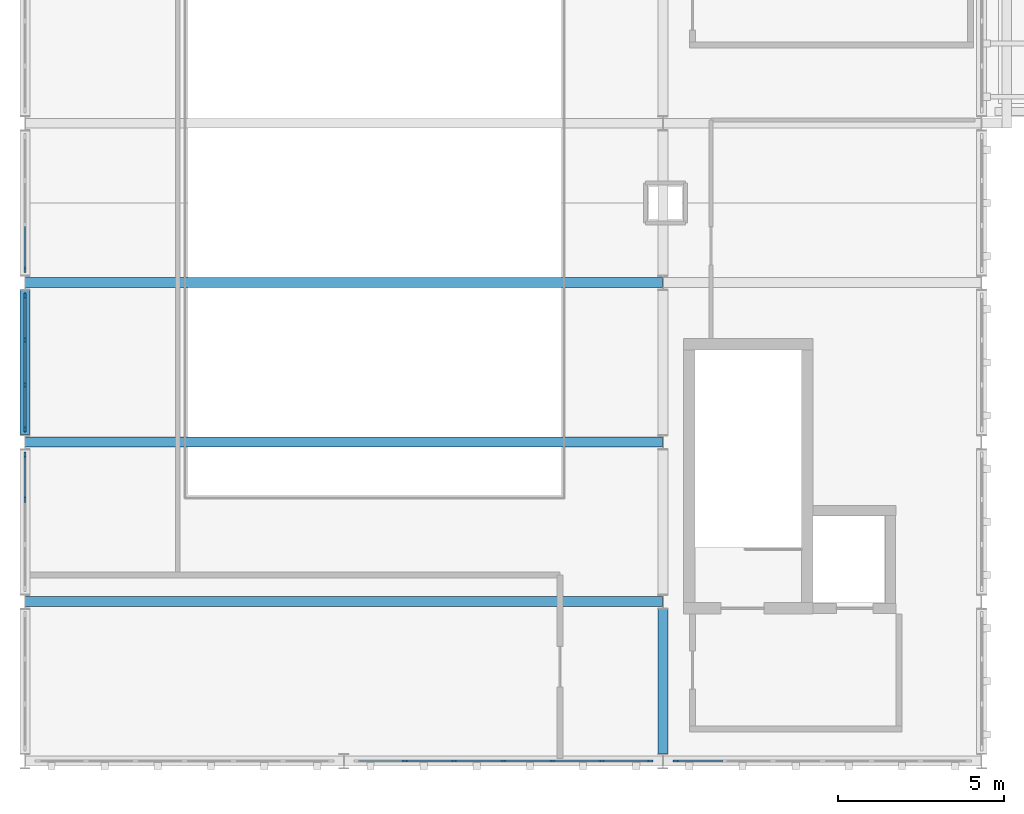
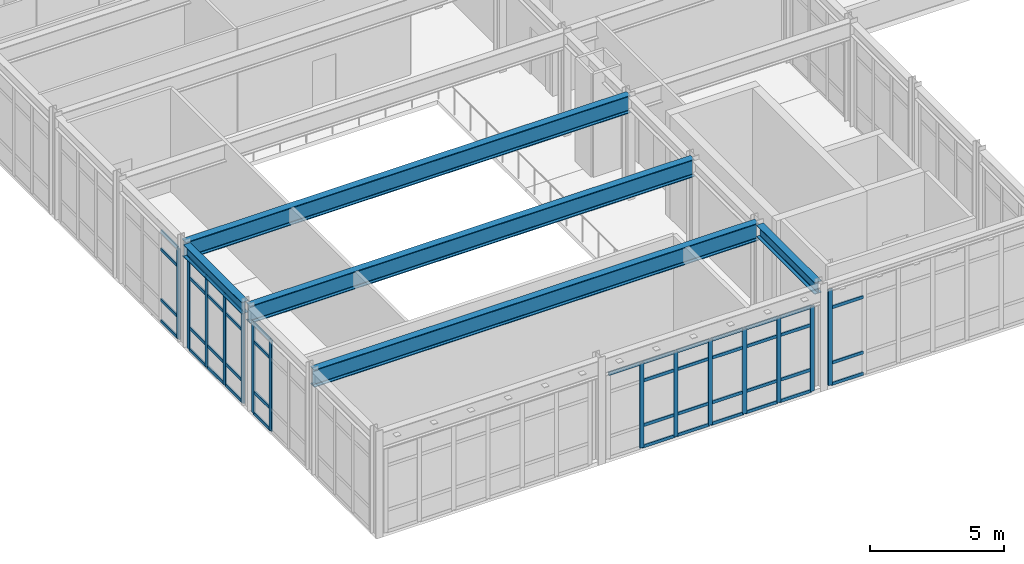
# One storey, part 3 of 16: 58 members, 5 beams, 5 elements without a shape of their own.
"""IFC4 building model written with IfcOpenShell, lengths in metres."""

import ifcopenshell
import ifcopenshell.guid

model = None  # the IFC model being written
_history = None  # IfcOwnerHistory: only IFC2X3 demands one
_inside = {}  # id of a spatial element -> (the spatial element, [elements in it])
_under = {}  # id of a project, library or spatial element -> (it, [spatial elements below it])
_declared = {}  # id of a project -> (the project, [libraries it declares])
_typed = {}  # id of a type object -> (the type object, [elements of that type])
_made_of = {}  # id of a material, layer set ... -> (it, [elements and type objects made of it])


def new_model(schema):
    """Start an empty IFC model of exactly this schema.

    Asked for "IFC4X3", IfcOpenShell would pick the latest addendum, in which some entities
    have other attributes; the version numbers below select the first issue.
    IFC2X3 requires an IfcOwnerHistory on every rooted entity: one is made here for all.
    """
    global model, _history
    if schema == "IFC4X3":
        model = ifcopenshell.file(schema_version=(4, 3, 0, 0))
    else:
        model = ifcopenshell.file(schema=schema)
    _inside.clear()
    _under.clear()
    _declared.clear()
    _typed.clear()
    _made_of.clear()
    _history = None
    if model.schema == "IFC2X3":
        org = make("IfcOrganization", Name="unknown")
        user = make(
            "IfcPersonAndOrganization",
            ThePerson=make("IfcPerson", FamilyName="unknown"),
            TheOrganization=org,
        )
        app = make(
            "IfcApplication",
            ApplicationDeveloper=org,
            Version="unknown",
            ApplicationFullName="unknown",
            ApplicationIdentifier="unknown",
        )
        _history = make(
            "IfcOwnerHistory",
            OwningUser=user,
            OwningApplication=app,
            ChangeAction="ADDED",
            CreationDate=0,
        )
    return model


def make(cls, **values):
    """One entity of the class cls with the attributes given. An attribute that is None is left unset."""
    return model.create_entity(
        cls, **{name: value for name, value in values.items() if value is not None}
    )


def rooted(cls, **values):
    """An entity with a GlobalId (a new one), such as an element, a storey or a relation."""
    return make(cls, GlobalId=ifcopenshell.guid.new(), OwnerHistory=_history, **values)


def si_unit(unit_type, name, prefix=None):
    """IfcSIUnit, for example si_unit("LENGTHUNIT", "METRE", prefix="MILLI")."""
    return make("IfcSIUnit", UnitType=unit_type, Prefix=prefix, Name=name)


def assignment(units):
    """IfcUnitAssignment: the units of a project."""
    return None if units is None else make("IfcUnitAssignment", Units=units)


def point(xyz):
    """IfcCartesianPoint."""
    return None if xyz is None else make("IfcCartesianPoint", Coordinates=xyz)


def direction(xyz):
    """IfcDirection."""
    return None if xyz is None else make("IfcDirection", DirectionRatios=xyz)


def frame(location, z_axis=None, x_axis=None):
    """IfcAxis2Placement3D, a coordinate frame: its origin and axes. An axis left out is left unset."""
    return make(
        "IfcAxis2Placement3D",
        Location=point(location),
        Axis=direction(z_axis),
        RefDirection=direction(x_axis),
    )


def frame_2d(location, x_axis=None):
    """IfcAxis2Placement2D, a coordinate frame in the plane: its origin and x axis."""
    return make(
        "IfcAxis2Placement2D", Location=point(location), RefDirection=direction(x_axis)
    )


def origin():
    """The frame at (0, 0, 0) with its axes left unset."""
    return frame((0.0, 0.0, 0.0))


def origin_2d():
    """The frame at (0, 0) in the plane with its x axis left unset."""
    return frame_2d((0.0, 0.0))


def place(relative_to, where):
    """IfcLocalPlacement: puts the frame where relative to a parent placement (None: the world)."""
    return make(
        "IfcLocalPlacement", PlacementRelTo=relative_to, RelativePlacement=where
    )


def context(
    kind, dimensions, precision=None, world=None, true_north=None, identifier=None
):
    """IfcGeometricRepresentationContext, for example the 3D "Model" context."""
    return make(
        "IfcGeometricRepresentationContext",
        ContextIdentifier=identifier,
        ContextType=kind,
        CoordinateSpaceDimension=dimensions,
        Precision=precision,
        WorldCoordinateSystem=world,
        TrueNorth=true_north,
    )


def subcontext(parent, identifier, kind, view, scale=None):
    """IfcGeometricRepresentationSubContext, for example "Body" below "Model"."""
    return make(
        "IfcGeometricRepresentationSubContext",
        ContextIdentifier=identifier,
        ContextType=kind,
        ParentContext=parent,
        TargetScale=scale,
        TargetView=view,
    )


def project(units=None, contexts=None):
    """IfcProject with its units and contexts."""
    return rooted(
        "IfcProject",
        Name="project",
        RepresentationContexts=contexts,
        UnitsInContext=assignment(units),
    )


def spatial(cls, under=None, at=None, **own):
    """A site, building, storey or space (cls), placed at a placement, below another one or the project."""
    s = rooted(cls, ObjectPlacement=at, **own)
    if under is not None:
        _under.setdefault(under.id(), (under, []))[1].append(s)
    return s


def profile(cls, at=None, kind="AREA", **sizes):
    """A parametric profile (cls). Its sizes go by their IFC names, for example OverallWidth=200.0."""
    return make(cls, ProfileType=kind, Position=at, **sizes)


def rectangle(**sizes):
    """IfcRectangleProfileDef."""
    return profile("IfcRectangleProfileDef", **sizes)


def i_section(**sizes):
    """IfcIShapeProfileDef."""
    return profile("IfcIShapeProfileDef", **sizes)


def extrude(swept, where, along, depth):
    """IfcExtrudedAreaSolid: the profile swept, set in the frame where, extruded along a direction by depth."""
    return make(
        "IfcExtrudedAreaSolid",
        SweptArea=swept,
        Position=where,
        ExtrudedDirection=direction(along),
        Depth=depth,
    )


def shape(context_of_items, identifier, shape_type, items):
    """IfcShapeRepresentation: the items that make up one representation, for example the "Body"."""
    return make(
        "IfcShapeRepresentation",
        ContextOfItems=context_of_items,
        RepresentationIdentifier=identifier,
        RepresentationType=shape_type,
        Items=items,
    )


def material(Name=None, Category=None):
    """IfcMaterial."""
    return make("IfcMaterial", Name=Name, Category=Category)


def layer(
    of_material, thickness, ventilated=None, Name=None, Category=None, Priority=None
):
    """IfcMaterialLayer: one layer of a wall or slab, of a material (None: an air gap)."""
    return make(
        "IfcMaterialLayer",
        Material=of_material,
        LayerThickness=thickness,
        IsVentilated=ventilated,
        Name=Name,
        Category=Category,
        Priority=Priority,
    )


def layer_set(layers, Name=None):
    """IfcMaterialLayerSet."""
    return make("IfcMaterialLayerSet", MaterialLayers=layers, LayerSetName=Name)


def material_profile(
    of_material, cross_section, Name=None, Category=None, Priority=None
):
    """IfcMaterialProfile: a cross section and its material."""
    return make(
        "IfcMaterialProfile",
        Name=Name,
        Material=of_material,
        Profile=cross_section,
        Priority=Priority,
        Category=Category,
    )


def profile_set(profiles, Name=None, composite=None):
    """IfcMaterialProfileSet."""
    return make(
        "IfcMaterialProfileSet",
        Name=Name,
        MaterialProfiles=profiles,
        CompositeProfile=composite,
    )


def made_of(thing, what):
    """Note that an element or type object is made of a material, layer set ...; save() writes the relation."""
    if what is not None:
        _made_of.setdefault(what.id(), (what, []))[1].append(thing)
    return thing


def type_object(cls, material=None, **own):
    """A type object (cls), such as IfcWallType, which elements share."""
    return made_of(rooted(cls, **own), material)


def element(
    cls,
    number,
    at=None,
    inside=None,
    cuts=None,
    type_object=None,
    material=None,
    context=None,
    identifier="Body",
    shape_type=None,
    held_by="IfcProductDefinitionShape",
    body=None,
    shapes=None,
    **own,
):
    """One element of the class cls, such as IfcWall. Its Tag is "e" and its number.

    at: its placement. inside: the storey or other place that contains it. cuts: it is an
    opening in that element (IfcRelVoidsElement). A single representation is given by context,
    identifier, shape_type and body (its items); several are given by shapes. held_by: the class
    of the entity that holds the representations. save() writes the other relations.
    """
    e = rooted(cls, Tag="e%d" % number, ObjectPlacement=at, **own)
    if body is not None:
        shapes = [shape(context, identifier, shape_type, body)]
    if shapes is not None:
        e.Representation = make(held_by, Representations=shapes)
    if inside is not None:
        _inside.setdefault(inside.id(), (inside, []))[1].append(e)
    if cuts is not None:
        rooted(
            "IfcRelVoidsElement", RelatingBuildingElement=cuts, RelatedOpeningElement=e
        )
    if type_object is not None:
        _typed.setdefault(type_object.id(), (type_object, []))[1].append(e)
    return made_of(e, material)


def aggregate(whole, parts):
    """IfcRelAggregates: a whole, such as a stair, and the parts it consists of."""
    return rooted("IfcRelAggregates", RelatingObject=whole, RelatedObjects=parts)


def save(model, path):
    """Write the relations noted so far, then the file.

    IfcRelAggregates (storeys below a building ...), IfcRelContainedInSpatialStructure (elements
    in a storey), IfcRelDefinesByType, IfcRelAssociatesMaterial and IfcRelDeclares: one each for
    every whole, place, type object, material and project.
    """
    for whole, parts in _under.values():
        aggregate(whole, parts)
    for where, things in _inside.values():
        rooted(
            "IfcRelContainedInSpatialStructure",
            RelatedElements=things,
            RelatingStructure=where,
        )
    for kind, things in _typed.values():
        rooted("IfcRelDefinesByType", RelatedObjects=things, RelatingType=kind)
    for what, things in _made_of.values():
        rooted("IfcRelAssociatesMaterial", RelatedObjects=things, RelatingMaterial=what)
    for by, libraries in _declared.values():
        rooted("IfcRelDeclares", RelatingContext=by, RelatedDefinitions=libraries)
    model.write(path)


model = new_model("IFC4")

# Units and contexts
model_context = context("Model", 3, precision=1e-05, world=origin(), true_north=direction((0.0, 1.0)))
body_context = subcontext(model_context, "Body", "Model", "MODEL_VIEW")
ifc_project = project(units=[si_unit("LENGTHUNIT", "METRE"), si_unit("AREAUNIT", "SQUARE_METRE"), si_unit("VOLUMEUNIT", "CUBIC_METRE"), si_unit("PLANEANGLEUNIT", "RADIAN"), si_unit("MASSUNIT", "GRAM", prefix="KILO")], contexts=[model_context])

# Site, building, storey
site_placement = place(None, origin())
site = spatial("IfcSite", under=ifc_project, at=site_placement, CompositionType="ELEMENT")
building_placement = place(site_placement, origin())
building = spatial("IfcBuilding", under=site, at=building_placement, Name="Nordkorset Police Headquarters", CompositionType="ELEMENT")
storey_placement = place(building_placement, frame((0.0, 0.0, 31.14990234375)))
storey = spatial("IfcBuildingStorey", under=building, at=storey_placement, Name="L07", CompositionType="ELEMENT", Elevation=31.14990234375)

# Curtain wall, members
ifc_material_1 = material(Name="Aluminium alloy AW-6060", Category="aluminium")
ifc_layer_1 = layer(ifc_material_1, 0.179931640625, Name="Aluminium alloy AW-6060")
ifc_layer_set_1 = layer_set([ifc_layer_1], Name="Aluminium alloy AW-6060")
curtain_wall_type_1 = type_object("IfcCurtainWallType", Name="CW_Unit_408x415", PredefinedType="USERDEFINED", material=ifc_layer_set_1)
curtain_wall_1_placement = place(storey_placement, origin())
curtain_wall_1 = element("IfcCurtainWall", 1, at=curtain_wall_1_placement, inside=storey, type_object=curtain_wall_type_1, Name="Unitised Curtain Wall L07 V1W-1", ObjectType="UNITISED CURTAIN WALL", PredefinedType="USERDEFINED")
ifc_material_2 = material(Name="Aluminium alloy AW-6060", Category="aluminium")
ifc_material_profile_1 = material_profile(ifc_material_2, rectangle(XDim=0.06494140625, YDim=0.179931640625, at=origin_2d()), Name="ALU MULL 65x180")
ifc_profile_set_1 = profile_set([ifc_material_profile_1], Name="Aluminium alloy AW-6060")
member_type_1 = type_object("IfcMemberType", Name="CW_Mullion_65x180", PredefinedType="MULLION", material=ifc_profile_set_1)
member_1_placement = place(storey_placement, frame((0.0, 91.080078125, 0.0), z_axis=(0.0, 0.0, 1.0), x_axis=(-1.0, 0.0, 0.0)))
member_1 = element("IfcMember", 2, at=member_1_placement, type_object=member_type_1, Name="CW-101 mullion 3", PredefinedType="MULLION", context=body_context, shape_type="SweptSolid", body=[
    extrude(rectangle(XDim=0.06494140625, YDim=0.179931640625, at=origin_2d()), origin(), (0.0, 0.0, 1.0), 4.150146484375),
])
member_2_placement = place(storey_placement, frame((0.0, 92.407470703125, 0.0), z_axis=(0.0, 0.0, 1.0), x_axis=(-1.0, 0.0, 0.0)))
member_2 = element("IfcMember", 3, at=member_2_placement, type_object=member_type_1, Name="CW-101 mullion 4", PredefinedType="MULLION", context=body_context, shape_type="SweptSolid", body=[
    extrude(rectangle(XDim=0.06494140625, YDim=0.179931640625, at=origin_2d()), origin(), (0.0, 0.0, 1.0), 4.150146484375),
])

curtain_wall_2_placement = place(storey_placement, origin())
curtain_wall_2 = element("IfcCurtainWall", 4, at=curtain_wall_2_placement, inside=storey, type_object=curtain_wall_type_1, Name="Unitised Curtain Wall L07 V1W-2", ObjectType="UNITISED CURTAIN WALL", PredefinedType="USERDEFINED")
member_3_placement = place(storey_placement, frame((0.0, 93.1923828125, 0.0), z_axis=(0.0, 0.0, 1.0), x_axis=(-1.0, 0.0, 0.0)))
member_3 = element("IfcMember", 5, at=member_3_placement, type_object=member_type_1, Name="CW-101 mullion 1", PredefinedType="MULLION", context=body_context, shape_type="SweptSolid", body=[
    extrude(rectangle(XDim=0.06494140625, YDim=0.179931640625, at=origin_2d()), origin(), (0.0, 0.0, 1.0), 4.150146484375),
])
member_4_placement = place(storey_placement, frame((0.0, 94.52001953125, 0.0), z_axis=(0.0, 0.0, 1.0), x_axis=(-1.0, 0.0, 0.0)))
member_4 = element("IfcMember", 6, at=member_4_placement, type_object=member_type_1, Name="CW-101 mullion 2", PredefinedType="MULLION", context=body_context, shape_type="SweptSolid", body=[
    extrude(rectangle(XDim=0.06494140625, YDim=0.179931640625, at=origin_2d()), origin(), (0.0, 0.0, 1.0), 4.150146484375),
])
member_5_placement = place(storey_placement, frame((0.0, 95.8798828125, 0.0), z_axis=(0.0, 0.0, 1.0), x_axis=(-1.0, 0.0, 0.0)))
member_5 = element("IfcMember", 7, at=member_5_placement, type_object=member_type_1, Name="CW-101 mullion 3", PredefinedType="MULLION", context=body_context, shape_type="SweptSolid", body=[
    extrude(rectangle(XDim=0.06494140625, YDim=0.179931640625, at=origin_2d()), origin(), (0.0, 0.0, 1.0), 4.150146484375),
])
member_6_placement = place(storey_placement, frame((0.0, 97.20751953125, 0.0), z_axis=(0.0, 0.0, 1.0), x_axis=(-1.0, 0.0, 0.0)))
member_6 = element("IfcMember", 8, at=member_6_placement, type_object=member_type_1, Name="CW-101 mullion 4", PredefinedType="MULLION", context=body_context, shape_type="SweptSolid", body=[
    extrude(rectangle(XDim=0.06494140625, YDim=0.179931640625, at=origin_2d()), origin(), (0.0, 0.0, 1.0), 4.150146484375),
])

# Curtain wall, member
curtain_wall_3_placement = place(storey_placement, origin())
curtain_wall_3 = element("IfcCurtainWall", 9, at=curtain_wall_3_placement, inside=storey, type_object=curtain_wall_type_1, Name="Unitised Curtain Wall L07 V1W-3", ObjectType="UNITISED CURTAIN WALL", PredefinedType="USERDEFINED")
member_7_placement = place(storey_placement, frame((0.0, 97.992431640625, 0.0), z_axis=(0.0, 0.0, 1.0), x_axis=(-1.0, 0.0, 0.0)))
member_7 = element("IfcMember", 10, at=member_7_placement, type_object=member_type_1, Name="CW-101 mullion 1", PredefinedType="MULLION", context=body_context, shape_type="SweptSolid", body=[
    extrude(rectangle(XDim=0.06494140625, YDim=0.179931640625, at=origin_2d()), origin(), (0.0, 0.0, 1.0), 4.150146484375),
])

# Curtain wall, members
ifc_material_3 = material(Name="Aluminium alloy AW-6060", Category="aluminium")
ifc_layer_2 = layer(ifc_material_3, 0.179931640625, Name="Aluminium alloy AW-6060")
ifc_layer_set_2 = layer_set([ifc_layer_2], Name="Aluminium alloy AW-6060")
curtain_wall_type_2 = type_object("IfcCurtainWallType", Name="CW_Unit_888x389", PredefinedType="USERDEFINED", material=ifc_layer_set_2)
curtain_wall_4_placement = place(storey_placement, origin())
curtain_wall_4 = element("IfcCurtainWall", 11, at=curtain_wall_4_placement, inside=storey, type_object=curtain_wall_type_2, Name="Unitised Curtain Wall L07 V1S-1", ObjectType="UNITISED CURTAIN WALL", PredefinedType="USERDEFINED")
member_8_placement = place(storey_placement, frame((11.43994140625, 83.199951171875, 0.0), z_axis=(0.0, 0.0, 1.0), x_axis=(0.0, 1.0, 0.0)))
member_8 = element("IfcMember", 12, at=member_8_placement, type_object=member_type_1, Name="CW-76 mullion 2", PredefinedType="MULLION", context=body_context, shape_type="SweptSolid", body=[
    extrude(rectangle(XDim=0.06494140625, YDim=0.179931640625, at=origin_2d()), origin(), (0.0, 0.0, 1.0), 3.89013671875),
])
member_9_placement = place(storey_placement, frame((12.919921875, 83.199951171875, 0.0), z_axis=(0.0, 0.0, 1.0), x_axis=(0.0, 1.0, 0.0)))
member_9 = element("IfcMember", 13, at=member_9_placement, type_object=member_type_1, Name="CW-76 mullion 3", PredefinedType="MULLION", context=body_context, shape_type="SweptSolid", body=[
    extrude(rectangle(XDim=0.06494140625, YDim=0.179931640625, at=origin_2d()), origin(), (0.0, 0.0, 1.0), 3.89013671875),
])
member_10_placement = place(storey_placement, frame((14.39990234375, 83.199951171875, 0.0), z_axis=(0.0, 0.0, 1.0), x_axis=(0.0, 1.0, 0.0)))
member_10 = element("IfcMember", 14, at=member_10_placement, type_object=member_type_1, Name="CW-76 mullion 4", PredefinedType="MULLION", context=body_context, shape_type="SweptSolid", body=[
    extrude(rectangle(XDim=0.06494140625, YDim=0.179931640625, at=origin_2d()), origin(), (0.0, 0.0, 1.0), 3.89013671875),
])
member_11_placement = place(storey_placement, frame((15.8798828125, 83.199951171875, 0.0), z_axis=(0.0, 0.0, 1.0), x_axis=(0.0, 1.0, 0.0)))
member_11 = element("IfcMember", 15, at=member_11_placement, type_object=member_type_1, Name="CW-76 mullion 5", PredefinedType="MULLION", context=body_context, shape_type="SweptSolid", body=[
    extrude(rectangle(XDim=0.06494140625, YDim=0.179931640625, at=origin_2d()), origin(), (0.0, 0.0, 1.0), 3.89013671875),
])
member_12_placement = place(storey_placement, frame((17.360107421875, 83.199951171875, 0.0), z_axis=(0.0, 0.0, 1.0), x_axis=(0.0, 1.0, 0.0)))
member_12 = element("IfcMember", 16, at=member_12_placement, type_object=member_type_1, Name="CW-76 mullion 6", PredefinedType="MULLION", context=body_context, shape_type="SweptSolid", body=[
    extrude(rectangle(XDim=0.06494140625, YDim=0.179931640625, at=origin_2d()), origin(), (0.0, 0.0, 1.0), 3.89013671875),
])
member_13_placement = place(storey_placement, frame((18.8076171875, 83.199951171875, 0.0), z_axis=(0.0, 0.0, 1.0), x_axis=(0.0, 1.0, 0.0)))
member_13 = element("IfcMember", 17, at=member_13_placement, type_object=member_type_1, Name="CW-76 mullion 7", PredefinedType="MULLION", context=body_context, shape_type="SweptSolid", body=[
    extrude(rectangle(XDim=0.06494140625, YDim=0.179931640625, at=origin_2d()), origin(), (0.0, 0.0, 1.0), 3.89013671875),
])

# Curtain wall, member
ifc_material_4 = material(Name="Aluminium alloy AW-6060", Category="aluminium")
ifc_layer_3 = layer(ifc_material_4, 0.179931640625, Name="Aluminium alloy AW-6060")
ifc_layer_set_3 = layer_set([ifc_layer_3], Name="Aluminium alloy AW-6060")
curtain_wall_type_3 = type_object("IfcCurtainWallType", Name="CW_Unit_888x438", PredefinedType="USERDEFINED", material=ifc_layer_set_3)
curtain_wall_5_placement = place(storey_placement, origin())
curtain_wall_5 = element("IfcCurtainWall", 18, at=curtain_wall_5_placement, inside=storey, type_object=curtain_wall_type_3, Name="Unitised Curtain Wall L07 V1S-2", ObjectType="UNITISED CURTAIN WALL", PredefinedType="USERDEFINED")
member_14_placement = place(storey_placement, frame((19.592529296875, 83.199951171875, 0.0), z_axis=(0.0, 0.0, 1.0), x_axis=(0.0, 1.0, 0.0)))
member_14 = element("IfcMember", 19, at=member_14_placement, type_object=member_type_1, Name="CW-102 mullion 1", PredefinedType="MULLION", context=body_context, shape_type="SweptSolid", body=[
    extrude(rectangle(XDim=0.06494140625, YDim=0.179931640625, at=origin_2d()), origin(), (0.0, 0.0, 1.0), 4.380126953125),
])

# Member
ifc_material_5 = material(Name="Aluminium alloy AW-6060", Category="aluminium")
ifc_material_profile_2 = material_profile(ifc_material_5, rectangle(XDim=0.06494140625, YDim=0.139892578125, at=origin_2d()), Name="ALU TRAN 65x140")
ifc_profile_set_2 = profile_set([ifc_material_profile_2], Name="Aluminium alloy AW-6060")
member_type_2 = type_object("IfcMemberType", Name="CW_Transom_65x140", PredefinedType="USERDEFINED", material=ifc_profile_set_2)
member_15_placement = place(storey_placement, frame((0.0, 91.112548828125, 0.03271484375), z_axis=(0.0, 1.0, 0.0), x_axis=(-1.0, 0.0, 0.0)))
member_15 = element("IfcMember", 20, at=member_15_placement, type_object=member_type_2, Name="CW-101 transom 3.1", ObjectType="TRANSOM", PredefinedType="USERDEFINED", context=body_context, shape_type="SweptSolid", body=[
    extrude(rectangle(XDim=0.06494140625, YDim=0.139892578125, at=origin_2d()), origin(), (0.0, 0.0, 1.0), 1.262451171875),
])

member_16_placement = place(storey_placement, frame((0.0, 91.112548828125, 1.0), z_axis=(0.0, 1.0, 0.0), x_axis=(-1.0, 0.0, 0.0)))
member_16 = element("IfcMember", 21, at=member_16_placement, type_object=member_type_2, Name="CW-101 transom 3.2", ObjectType="TRANSOM", PredefinedType="USERDEFINED", context=body_context, shape_type="SweptSolid", body=[
    extrude(rectangle(XDim=0.06494140625, YDim=0.139892578125, at=origin_2d()), origin(), (0.0, 0.0, 1.0), 1.262451171875),
])

member_17_placement = place(storey_placement, frame((0.0, 91.112548828125, 3.300048828125), z_axis=(0.0, 1.0, 0.0), x_axis=(-1.0, 0.0, 0.0)))
member_17 = element("IfcMember", 22, at=member_17_placement, type_object=member_type_2, Name="CW-101 transom 3.3", ObjectType="TRANSOM", PredefinedType="USERDEFINED", context=body_context, shape_type="SweptSolid", body=[
    extrude(rectangle(XDim=0.06494140625, YDim=0.139892578125, at=origin_2d()), origin(), (0.0, 0.0, 1.0), 1.262451171875),
])

member_18_placement = place(storey_placement, frame((0.0, 91.112548828125, 4.11767578125), z_axis=(0.0, 1.0, 0.0), x_axis=(-1.0, 0.0, 0.0)))
member_18 = element("IfcMember", 23, at=member_18_placement, type_object=member_type_2, Name="CW-101 transom 3.4", ObjectType="TRANSOM", PredefinedType="USERDEFINED", context=body_context, shape_type="SweptSolid", body=[
    extrude(rectangle(XDim=0.06494140625, YDim=0.139892578125, at=origin_2d()), origin(), (0.0, 0.0, 1.0), 1.262451171875),
])

aggregate(curtain_wall_1, [member_1, member_2, member_15, member_16, member_17, member_18])

member_19_placement = place(storey_placement, frame((0.0, 93.22509765625, 0.03271484375), z_axis=(0.0, 1.0, 0.0), x_axis=(-1.0, 0.0, 0.0)))
member_19 = element("IfcMember", 24, at=member_19_placement, type_object=member_type_2, Name="CW-101 transom 1.1", ObjectType="TRANSOM", PredefinedType="USERDEFINED", context=body_context, shape_type="SweptSolid", body=[
    extrude(rectangle(XDim=0.06494140625, YDim=0.139892578125, at=origin_2d()), origin(), (0.0, 0.0, 1.0), 1.262451171875),
])

member_20_placement = place(storey_placement, frame((0.0, 93.22509765625, 1.0), z_axis=(0.0, 1.0, 0.0), x_axis=(-1.0, 0.0, 0.0)))
member_20 = element("IfcMember", 25, at=member_20_placement, type_object=member_type_2, Name="CW-101 transom 1.2", ObjectType="TRANSOM", PredefinedType="USERDEFINED", context=body_context, shape_type="SweptSolid", body=[
    extrude(rectangle(XDim=0.06494140625, YDim=0.139892578125, at=origin_2d()), origin(), (0.0, 0.0, 1.0), 1.262451171875),
])

member_21_placement = place(storey_placement, frame((0.0, 93.22509765625, 3.300048828125), z_axis=(0.0, 1.0, 0.0), x_axis=(-1.0, 0.0, 0.0)))
member_21 = element("IfcMember", 26, at=member_21_placement, type_object=member_type_2, Name="CW-101 transom 1.3", ObjectType="TRANSOM", PredefinedType="USERDEFINED", context=body_context, shape_type="SweptSolid", body=[
    extrude(rectangle(XDim=0.06494140625, YDim=0.139892578125, at=origin_2d()), origin(), (0.0, 0.0, 1.0), 1.262451171875),
])

member_22_placement = place(storey_placement, frame((0.0, 93.22509765625, 4.11767578125), z_axis=(0.0, 1.0, 0.0), x_axis=(-1.0, 0.0, 0.0)))
member_22 = element("IfcMember", 27, at=member_22_placement, type_object=member_type_2, Name="CW-101 transom 1.4", ObjectType="TRANSOM", PredefinedType="USERDEFINED", context=body_context, shape_type="SweptSolid", body=[
    extrude(rectangle(XDim=0.06494140625, YDim=0.139892578125, at=origin_2d()), origin(), (0.0, 0.0, 1.0), 1.262451171875),
])

member_23_placement = place(storey_placement, frame((0.0, 94.552490234375, 0.03271484375), z_axis=(0.0, 1.0, 0.0), x_axis=(-1.0, 0.0, 0.0)))
member_23 = element("IfcMember", 28, at=member_23_placement, type_object=member_type_2, Name="CW-101 transom 2.1", ObjectType="TRANSOM", PredefinedType="USERDEFINED", context=body_context, shape_type="SweptSolid", body=[
    extrude(rectangle(XDim=0.06494140625, YDim=0.139892578125, at=origin_2d()), origin(), (0.0, 0.0, 1.0), 1.294921875),
])

member_24_placement = place(storey_placement, frame((0.0, 94.552490234375, 1.0), z_axis=(0.0, 1.0, 0.0), x_axis=(-1.0, 0.0, 0.0)))
member_24 = element("IfcMember", 29, at=member_24_placement, type_object=member_type_2, Name="CW-101 transom 2.2", ObjectType="TRANSOM", PredefinedType="USERDEFINED", context=body_context, shape_type="SweptSolid", body=[
    extrude(rectangle(XDim=0.06494140625, YDim=0.139892578125, at=origin_2d()), origin(), (0.0, 0.0, 1.0), 1.294921875),
])

member_25_placement = place(storey_placement, frame((0.0, 94.552490234375, 3.300048828125), z_axis=(0.0, 1.0, 0.0), x_axis=(-1.0, 0.0, 0.0)))
member_25 = element("IfcMember", 30, at=member_25_placement, type_object=member_type_2, Name="CW-101 transom 2.3", ObjectType="TRANSOM", PredefinedType="USERDEFINED", context=body_context, shape_type="SweptSolid", body=[
    extrude(rectangle(XDim=0.06494140625, YDim=0.139892578125, at=origin_2d()), origin(), (0.0, 0.0, 1.0), 1.294921875),
])

member_26_placement = place(storey_placement, frame((0.0, 94.552490234375, 4.11767578125), z_axis=(0.0, 1.0, 0.0), x_axis=(-1.0, 0.0, 0.0)))
member_26 = element("IfcMember", 31, at=member_26_placement, type_object=member_type_2, Name="CW-101 transom 2.4", ObjectType="TRANSOM", PredefinedType="USERDEFINED", context=body_context, shape_type="SweptSolid", body=[
    extrude(rectangle(XDim=0.06494140625, YDim=0.139892578125, at=origin_2d()), origin(), (0.0, 0.0, 1.0), 1.294921875),
])

member_27_placement = place(storey_placement, frame((0.0, 95.91259765625, 0.03271484375), z_axis=(0.0, 1.0, 0.0), x_axis=(-1.0, 0.0, 0.0)))
member_27 = element("IfcMember", 32, at=member_27_placement, type_object=member_type_2, Name="CW-101 transom 3.1", ObjectType="TRANSOM", PredefinedType="USERDEFINED", context=body_context, shape_type="SweptSolid", body=[
    extrude(rectangle(XDim=0.06494140625, YDim=0.139892578125, at=origin_2d()), origin(), (0.0, 0.0, 1.0), 1.262451171875),
])

member_28_placement = place(storey_placement, frame((0.0, 95.91259765625, 1.0), z_axis=(0.0, 1.0, 0.0), x_axis=(-1.0, 0.0, 0.0)))
member_28 = element("IfcMember", 33, at=member_28_placement, type_object=member_type_2, Name="CW-101 transom 3.2", ObjectType="TRANSOM", PredefinedType="USERDEFINED", context=body_context, shape_type="SweptSolid", body=[
    extrude(rectangle(XDim=0.06494140625, YDim=0.139892578125, at=origin_2d()), origin(), (0.0, 0.0, 1.0), 1.262451171875),
])

member_29_placement = place(storey_placement, frame((0.0, 95.91259765625, 3.300048828125), z_axis=(0.0, 1.0, 0.0), x_axis=(-1.0, 0.0, 0.0)))
member_29 = element("IfcMember", 34, at=member_29_placement, type_object=member_type_2, Name="CW-101 transom 3.3", ObjectType="TRANSOM", PredefinedType="USERDEFINED", context=body_context, shape_type="SweptSolid", body=[
    extrude(rectangle(XDim=0.06494140625, YDim=0.139892578125, at=origin_2d()), origin(), (0.0, 0.0, 1.0), 1.262451171875),
])

member_30_placement = place(storey_placement, frame((0.0, 95.91259765625, 4.11767578125), z_axis=(0.0, 1.0, 0.0), x_axis=(-1.0, 0.0, 0.0)))
member_30 = element("IfcMember", 35, at=member_30_placement, type_object=member_type_2, Name="CW-101 transom 3.4", ObjectType="TRANSOM", PredefinedType="USERDEFINED", context=body_context, shape_type="SweptSolid", body=[
    extrude(rectangle(XDim=0.06494140625, YDim=0.139892578125, at=origin_2d()), origin(), (0.0, 0.0, 1.0), 1.262451171875),
])

aggregate(curtain_wall_2, [member_3, member_4, member_5, member_6, member_19, member_20, member_21, member_22, member_23, member_24, member_25, member_26, member_27, member_28, member_29, member_30])

member_31_placement = place(storey_placement, frame((0.0, 98.02490234375, 0.03271484375), z_axis=(0.0, 1.0, 0.0), x_axis=(-1.0, 0.0, 0.0)))
member_31 = element("IfcMember", 36, at=member_31_placement, type_object=member_type_2, Name="CW-101 transom 1.1", ObjectType="TRANSOM", PredefinedType="USERDEFINED", context=body_context, shape_type="SweptSolid", body=[
    extrude(rectangle(XDim=0.06494140625, YDim=0.139892578125, at=origin_2d()), origin(), (0.0, 0.0, 1.0), 1.2626953125),
])

member_32_placement = place(storey_placement, frame((0.0, 98.02490234375, 1.0), z_axis=(0.0, 1.0, 0.0), x_axis=(-1.0, 0.0, 0.0)))
member_32 = element("IfcMember", 37, at=member_32_placement, type_object=member_type_2, Name="CW-101 transom 1.2", ObjectType="TRANSOM", PredefinedType="USERDEFINED", context=body_context, shape_type="SweptSolid", body=[
    extrude(rectangle(XDim=0.06494140625, YDim=0.139892578125, at=origin_2d()), origin(), (0.0, 0.0, 1.0), 1.2626953125),
])

member_33_placement = place(storey_placement, frame((0.0, 98.02490234375, 3.300048828125), z_axis=(0.0, 1.0, 0.0), x_axis=(-1.0, 0.0, 0.0)))
member_33 = element("IfcMember", 38, at=member_33_placement, type_object=member_type_2, Name="CW-101 transom 1.3", ObjectType="TRANSOM", PredefinedType="USERDEFINED", context=body_context, shape_type="SweptSolid", body=[
    extrude(rectangle(XDim=0.06494140625, YDim=0.139892578125, at=origin_2d()), origin(), (0.0, 0.0, 1.0), 1.2626953125),
])

member_34_placement = place(storey_placement, frame((0.0, 98.02490234375, 4.11767578125), z_axis=(0.0, 1.0, 0.0), x_axis=(-1.0, 0.0, 0.0)))
member_34 = element("IfcMember", 39, at=member_34_placement, type_object=member_type_2, Name="CW-101 transom 1.4", ObjectType="TRANSOM", PredefinedType="USERDEFINED", context=body_context, shape_type="SweptSolid", body=[
    extrude(rectangle(XDim=0.06494140625, YDim=0.139892578125, at=origin_2d()), origin(), (0.0, 0.0, 1.0), 1.2626953125),
])

aggregate(curtain_wall_3, [member_7, member_31, member_32, member_33, member_34])

member_35_placement = place(storey_placement, frame((10.02490234375, 83.199951171875, 3.857666015625), z_axis=(1.0, 0.0, 0.0), x_axis=(0.0, 1.0, 0.0)))
member_35 = element("IfcMember", 40, at=member_35_placement, type_object=member_type_2, Name="CW-76 transom 1.4", ObjectType="TRANSOM", PredefinedType="USERDEFINED", context=body_context, shape_type="SweptSolid", body=[
    extrude(rectangle(XDim=0.06494140625, YDim=0.139892578125, at=origin_2d()), origin(), (0.0, 0.0, 1.0), 1.382568359375),
])

member_36_placement = place(storey_placement, frame((11.472412109375, 83.199951171875, 0.03271484375), z_axis=(1.0, 0.0, 0.0), x_axis=(0.0, 1.0, 0.0)))
member_36 = element("IfcMember", 41, at=member_36_placement, type_object=member_type_2, Name="CW-76 transom 2.1", ObjectType="TRANSOM", PredefinedType="USERDEFINED", context=body_context, shape_type="SweptSolid", body=[
    extrude(rectangle(XDim=0.06494140625, YDim=0.139892578125, at=origin_2d()), origin(), (0.0, 0.0, 1.0), 1.4150390625),
])

member_37_placement = place(storey_placement, frame((11.472412109375, 83.199951171875, 1.0), z_axis=(1.0, 0.0, 0.0), x_axis=(0.0, 1.0, 0.0)))
member_37 = element("IfcMember", 42, at=member_37_placement, type_object=member_type_2, Name="CW-76 transom 2.2", ObjectType="TRANSOM", PredefinedType="USERDEFINED", context=body_context, shape_type="SweptSolid", body=[
    extrude(rectangle(XDim=0.06494140625, YDim=0.139892578125, at=origin_2d()), origin(), (0.0, 0.0, 1.0), 1.4150390625),
])

member_38_placement = place(storey_placement, frame((11.472412109375, 83.199951171875, 3.0400390625), z_axis=(1.0, 0.0, 0.0), x_axis=(0.0, 1.0, 0.0)))
member_38 = element("IfcMember", 43, at=member_38_placement, type_object=member_type_2, Name="CW-76 transom 2.3", ObjectType="TRANSOM", PredefinedType="USERDEFINED", context=body_context, shape_type="SweptSolid", body=[
    extrude(rectangle(XDim=0.06494140625, YDim=0.139892578125, at=origin_2d()), origin(), (0.0, 0.0, 1.0), 1.4150390625),
])

member_39_placement = place(storey_placement, frame((11.472412109375, 83.199951171875, 3.857666015625), z_axis=(1.0, 0.0, 0.0), x_axis=(0.0, 1.0, 0.0)))
member_39 = element("IfcMember", 44, at=member_39_placement, type_object=member_type_2, Name="CW-76 transom 2.4", ObjectType="TRANSOM", PredefinedType="USERDEFINED", context=body_context, shape_type="SweptSolid", body=[
    extrude(rectangle(XDim=0.06494140625, YDim=0.139892578125, at=origin_2d()), origin(), (0.0, 0.0, 1.0), 1.4150390625),
])

member_40_placement = place(storey_placement, frame((12.952392578125, 83.199951171875, 0.03271484375), z_axis=(1.0, 0.0, 0.0), x_axis=(0.0, 1.0, 0.0)))
member_40 = element("IfcMember", 45, at=member_40_placement, type_object=member_type_2, Name="CW-76 transom 3.1", ObjectType="TRANSOM", PredefinedType="USERDEFINED", context=body_context, shape_type="SweptSolid", body=[
    extrude(rectangle(XDim=0.06494140625, YDim=0.139892578125, at=origin_2d()), origin(), (0.0, 0.0, 1.0), 1.4150390625),
])

member_41_placement = place(storey_placement, frame((12.952392578125, 83.199951171875, 1.0), z_axis=(1.0, 0.0, 0.0), x_axis=(0.0, 1.0, 0.0)))
member_41 = element("IfcMember", 46, at=member_41_placement, type_object=member_type_2, Name="CW-76 transom 3.2", ObjectType="TRANSOM", PredefinedType="USERDEFINED", context=body_context, shape_type="SweptSolid", body=[
    extrude(rectangle(XDim=0.06494140625, YDim=0.139892578125, at=origin_2d()), origin(), (0.0, 0.0, 1.0), 1.4150390625),
])

member_42_placement = place(storey_placement, frame((12.952392578125, 83.199951171875, 3.0400390625), z_axis=(1.0, 0.0, 0.0), x_axis=(0.0, 1.0, 0.0)))
member_42 = element("IfcMember", 47, at=member_42_placement, type_object=member_type_2, Name="CW-76 transom 3.3", ObjectType="TRANSOM", PredefinedType="USERDEFINED", context=body_context, shape_type="SweptSolid", body=[
    extrude(rectangle(XDim=0.06494140625, YDim=0.139892578125, at=origin_2d()), origin(), (0.0, 0.0, 1.0), 1.4150390625),
])

member_43_placement = place(storey_placement, frame((12.952392578125, 83.199951171875, 3.857666015625), z_axis=(1.0, 0.0, 0.0), x_axis=(0.0, 1.0, 0.0)))
member_43 = element("IfcMember", 48, at=member_43_placement, type_object=member_type_2, Name="CW-76 transom 3.4", ObjectType="TRANSOM", PredefinedType="USERDEFINED", context=body_context, shape_type="SweptSolid", body=[
    extrude(rectangle(XDim=0.06494140625, YDim=0.139892578125, at=origin_2d()), origin(), (0.0, 0.0, 1.0), 1.4150390625),
])

member_44_placement = place(storey_placement, frame((14.4326171875, 83.199951171875, 0.03271484375), z_axis=(1.0, 0.0, 0.0), x_axis=(0.0, 1.0, 0.0)))
member_44 = element("IfcMember", 49, at=member_44_placement, type_object=member_type_2, Name="CW-76 transom 4.1", ObjectType="TRANSOM", PredefinedType="USERDEFINED", context=body_context, shape_type="SweptSolid", body=[
    extrude(rectangle(XDim=0.06494140625, YDim=0.139892578125, at=origin_2d()), origin(), (0.0, 0.0, 1.0), 1.414794921875),
])

member_45_placement = place(storey_placement, frame((14.4326171875, 83.199951171875, 1.0), z_axis=(1.0, 0.0, 0.0), x_axis=(0.0, 1.0, 0.0)))
member_45 = element("IfcMember", 50, at=member_45_placement, type_object=member_type_2, Name="CW-76 transom 4.2", ObjectType="TRANSOM", PredefinedType="USERDEFINED", context=body_context, shape_type="SweptSolid", body=[
    extrude(rectangle(XDim=0.06494140625, YDim=0.139892578125, at=origin_2d()), origin(), (0.0, 0.0, 1.0), 1.414794921875),
])

member_46_placement = place(storey_placement, frame((14.4326171875, 83.199951171875, 3.0400390625), z_axis=(1.0, 0.0, 0.0), x_axis=(0.0, 1.0, 0.0)))
member_46 = element("IfcMember", 51, at=member_46_placement, type_object=member_type_2, Name="CW-76 transom 4.3", ObjectType="TRANSOM", PredefinedType="USERDEFINED", context=body_context, shape_type="SweptSolid", body=[
    extrude(rectangle(XDim=0.06494140625, YDim=0.139892578125, at=origin_2d()), origin(), (0.0, 0.0, 1.0), 1.414794921875),
])

member_47_placement = place(storey_placement, frame((14.4326171875, 83.199951171875, 3.857666015625), z_axis=(1.0, 0.0, 0.0), x_axis=(0.0, 1.0, 0.0)))
member_47 = element("IfcMember", 52, at=member_47_placement, type_object=member_type_2, Name="CW-76 transom 4.4", ObjectType="TRANSOM", PredefinedType="USERDEFINED", context=body_context, shape_type="SweptSolid", body=[
    extrude(rectangle(XDim=0.06494140625, YDim=0.139892578125, at=origin_2d()), origin(), (0.0, 0.0, 1.0), 1.414794921875),
])

member_48_placement = place(storey_placement, frame((15.91259765625, 83.199951171875, 0.03271484375), z_axis=(1.0, 0.0, 0.0), x_axis=(0.0, 1.0, 0.0)))
member_48 = element("IfcMember", 53, at=member_48_placement, type_object=member_type_2, Name="CW-76 transom 5.1", ObjectType="TRANSOM", PredefinedType="USERDEFINED", context=body_context, shape_type="SweptSolid", body=[
    extrude(rectangle(XDim=0.06494140625, YDim=0.139892578125, at=origin_2d()), origin(), (0.0, 0.0, 1.0), 1.414794921875),
])

member_49_placement = place(storey_placement, frame((15.91259765625, 83.199951171875, 1.0), z_axis=(1.0, 0.0, 0.0), x_axis=(0.0, 1.0, 0.0)))
member_49 = element("IfcMember", 54, at=member_49_placement, type_object=member_type_2, Name="CW-76 transom 5.2", ObjectType="TRANSOM", PredefinedType="USERDEFINED", context=body_context, shape_type="SweptSolid", body=[
    extrude(rectangle(XDim=0.06494140625, YDim=0.139892578125, at=origin_2d()), origin(), (0.0, 0.0, 1.0), 1.414794921875),
])

member_50_placement = place(storey_placement, frame((15.91259765625, 83.199951171875, 3.0400390625), z_axis=(1.0, 0.0, 0.0), x_axis=(0.0, 1.0, 0.0)))
member_50 = element("IfcMember", 55, at=member_50_placement, type_object=member_type_2, Name="CW-76 transom 5.3", ObjectType="TRANSOM", PredefinedType="USERDEFINED", context=body_context, shape_type="SweptSolid", body=[
    extrude(rectangle(XDim=0.06494140625, YDim=0.139892578125, at=origin_2d()), origin(), (0.0, 0.0, 1.0), 1.414794921875),
])

member_51_placement = place(storey_placement, frame((15.91259765625, 83.199951171875, 3.857666015625), z_axis=(1.0, 0.0, 0.0), x_axis=(0.0, 1.0, 0.0)))
member_51 = element("IfcMember", 56, at=member_51_placement, type_object=member_type_2, Name="CW-76 transom 5.4", ObjectType="TRANSOM", PredefinedType="USERDEFINED", context=body_context, shape_type="SweptSolid", body=[
    extrude(rectangle(XDim=0.06494140625, YDim=0.139892578125, at=origin_2d()), origin(), (0.0, 0.0, 1.0), 1.414794921875),
])

member_52_placement = place(storey_placement, frame((17.392578125, 83.199951171875, 0.03271484375), z_axis=(1.0, 0.0, 0.0), x_axis=(0.0, 1.0, 0.0)))
member_52 = element("IfcMember", 57, at=member_52_placement, type_object=member_type_2, Name="CW-76 transom 6.1", ObjectType="TRANSOM", PredefinedType="USERDEFINED", context=body_context, shape_type="SweptSolid", body=[
    extrude(rectangle(XDim=0.06494140625, YDim=0.139892578125, at=origin_2d()), origin(), (0.0, 0.0, 1.0), 1.38232421875),
])

member_53_placement = place(storey_placement, frame((17.392578125, 83.199951171875, 1.0), z_axis=(1.0, 0.0, 0.0), x_axis=(0.0, 1.0, 0.0)))
member_53 = element("IfcMember", 58, at=member_53_placement, type_object=member_type_2, Name="CW-76 transom 6.2", ObjectType="TRANSOM", PredefinedType="USERDEFINED", context=body_context, shape_type="SweptSolid", body=[
    extrude(rectangle(XDim=0.06494140625, YDim=0.139892578125, at=origin_2d()), origin(), (0.0, 0.0, 1.0), 1.38232421875),
])

member_54_placement = place(storey_placement, frame((17.392578125, 83.199951171875, 3.0400390625), z_axis=(1.0, 0.0, 0.0), x_axis=(0.0, 1.0, 0.0)))
member_54 = element("IfcMember", 59, at=member_54_placement, type_object=member_type_2, Name="CW-76 transom 6.3", ObjectType="TRANSOM", PredefinedType="USERDEFINED", context=body_context, shape_type="SweptSolid", body=[
    extrude(rectangle(XDim=0.06494140625, YDim=0.139892578125, at=origin_2d()), origin(), (0.0, 0.0, 1.0), 1.38232421875),
])

member_55_placement = place(storey_placement, frame((17.392578125, 83.199951171875, 3.857666015625), z_axis=(1.0, 0.0, 0.0), x_axis=(0.0, 1.0, 0.0)))
member_55 = element("IfcMember", 60, at=member_55_placement, type_object=member_type_2, Name="CW-76 transom 6.4", ObjectType="TRANSOM", PredefinedType="USERDEFINED", context=body_context, shape_type="SweptSolid", body=[
    extrude(rectangle(XDim=0.06494140625, YDim=0.139892578125, at=origin_2d()), origin(), (0.0, 0.0, 1.0), 1.38232421875),
])

aggregate(curtain_wall_4, [member_8, member_9, member_10, member_11, member_12, member_13, member_35, member_36, member_37, member_38, member_39, member_40, member_41, member_42, member_43, member_44, member_45, member_46, member_47, member_48, member_49, member_50, member_51, member_52, member_53, member_54, member_55])

member_56_placement = place(storey_placement, frame((19.625, 83.199951171875, 0.03271484375), z_axis=(1.0, 0.0, 0.0), x_axis=(0.0, 1.0, 0.0)))
member_56 = element("IfcMember", 61, at=member_56_placement, type_object=member_type_2, Name="CW-102 transom 1.1", ObjectType="TRANSOM", PredefinedType="USERDEFINED", context=body_context, shape_type="SweptSolid", body=[
    extrude(rectangle(XDim=0.06494140625, YDim=0.139892578125, at=origin_2d()), origin(), (0.0, 0.0, 1.0), 1.382568359375),
])

member_57_placement = place(storey_placement, frame((19.625, 83.199951171875, 1.0), z_axis=(1.0, 0.0, 0.0), x_axis=(0.0, 1.0, 0.0)))
member_57 = element("IfcMember", 62, at=member_57_placement, type_object=member_type_2, Name="CW-102 transom 1.2", ObjectType="TRANSOM", PredefinedType="USERDEFINED", context=body_context, shape_type="SweptSolid", body=[
    extrude(rectangle(XDim=0.06494140625, YDim=0.139892578125, at=origin_2d()), origin(), (0.0, 0.0, 1.0), 1.382568359375),
])

member_58_placement = place(storey_placement, frame((19.625, 83.199951171875, 3.530029296875), z_axis=(1.0, 0.0, 0.0), x_axis=(0.0, 1.0, 0.0)))
member_58 = element("IfcMember", 63, at=member_58_placement, type_object=member_type_2, Name="CW-102 transom 1.3", ObjectType="TRANSOM", PredefinedType="USERDEFINED", context=body_context, shape_type="SweptSolid", body=[
    extrude(rectangle(XDim=0.06494140625, YDim=0.139892578125, at=origin_2d()), origin(), (0.0, 0.0, 1.0), 1.382568359375),
])

aggregate(curtain_wall_5, [member_14, member_56, member_57, member_58])

# Beams
ifc_material_6 = material(Name="Steel S355J2", Category="steel")
ifc_material_profile_3 = material_profile(ifc_material_6, i_section(OverallWidth=0.300048828125, OverallDepth=0.5400390625, WebThickness=0.012451171875, FlangeThickness=0.02392578125, FilletRadius=0.027099609375, at=origin_2d()), Name="HEA 550")
ifc_profile_set_3 = profile_set([ifc_material_profile_3], Name="Steel S355J2")
beam_type_1 = type_object("IfcBeamType", Name="Girder_HEA_550", PredefinedType="USERDEFINED", material=ifc_profile_set_3)
beam_1_placement = place(storey_placement, frame((0.0, 93.02490234375, 4.440185546875), z_axis=(0.0, 1.0, 0.0), x_axis=(-1.0, 0.0, 0.0)))
element("IfcBeam", 64, at=beam_1_placement, inside=storey, type_object=beam_type_1, Name="Girder V1 L07 GY-0-2", ObjectType="GIRDER", PredefinedType="USERDEFINED", context=body_context, shape_type="SweptSolid", body=[
    extrude(i_section(OverallWidth=0.300048828125, OverallDepth=0.5400390625, WebThickness=0.012451171875, FlangeThickness=0.02392578125, FilletRadius=0.027099609375, at=origin_2d()), origin(), (0.0, 0.0, 1.0), 4.35009765625),
])
beam_2_placement = place(storey_placement, frame((19.199951171875, 83.425048828125, 4.440185546875), z_axis=(0.0, 1.0, 0.0), x_axis=(-1.0, 0.0, 0.0)))
element("IfcBeam", 65, at=beam_2_placement, inside=storey, type_object=beam_type_1, Name="Girder V1 L07 GY-1-0", ObjectType="GIRDER", PredefinedType="USERDEFINED", context=body_context, shape_type="SweptSolid", body=[
    extrude(i_section(OverallWidth=0.300048828125, OverallDepth=0.5400390625, WebThickness=0.012451171875, FlangeThickness=0.02392578125, FilletRadius=0.027099609375, at=origin_2d()), origin(), (0.0, 0.0, 1.0), 4.349853515625),
])
ifc_material_7 = material(Name="Steel S355J2", Category="steel")
ifc_material_profile_4 = material_profile(ifc_material_7, i_section(OverallWidth=0.300048828125, OverallDepth=0.800048828125, WebThickness=0.017578125, FlangeThickness=0.032958984375, FilletRadius=0.030029296875, at=origin_2d()), Name="HEB 800")
ifc_profile_set_4 = profile_set([ifc_material_profile_4], Name="Steel S355J2")
beam_type_2 = type_object("IfcBeamType", Name="Girder_HEB_800", PredefinedType="USERDEFINED", material=ifc_profile_set_4)
for number, where, z_axis, x_axis, name in (
    (66, (0.007080078125, 88.0, 4.31005859375), (1.0, 0.0, 0.0), (0.0, 1.0, 0.0), "Girder V1 L07 GX-1-0"),
    (67, (0.007080078125, 92.800048828125, 4.31005859375), (1.0, 0.0, 0.0), (0.0, 1.0, 0.0), "Girder V1 L07 GX-2-0"),
    (68, (0.007080078125, 97.60009765625, 4.31005859375), (1.0, 0.0, 0.0), (0.0, 1.0, 0.0), "Girder V1 L07 GX-3-0"),
):
    element("IfcBeam", number, at=place(storey_placement, frame(where, z_axis=z_axis, x_axis=x_axis)), inside=storey, type_object=beam_type_2, Name=name, ObjectType="GIRDER", PredefinedType="USERDEFINED", context=body_context, shape_type="SweptSolid", body=[
        extrude(i_section(OverallWidth=0.300048828125, OverallDepth=0.800048828125, WebThickness=0.017578125, FlangeThickness=0.032958984375, FilletRadius=0.030029296875, at=origin_2d()), origin(), (0.0, 0.0, 1.0), 19.18603515625),
    ])

save(model, "model.ifc")
